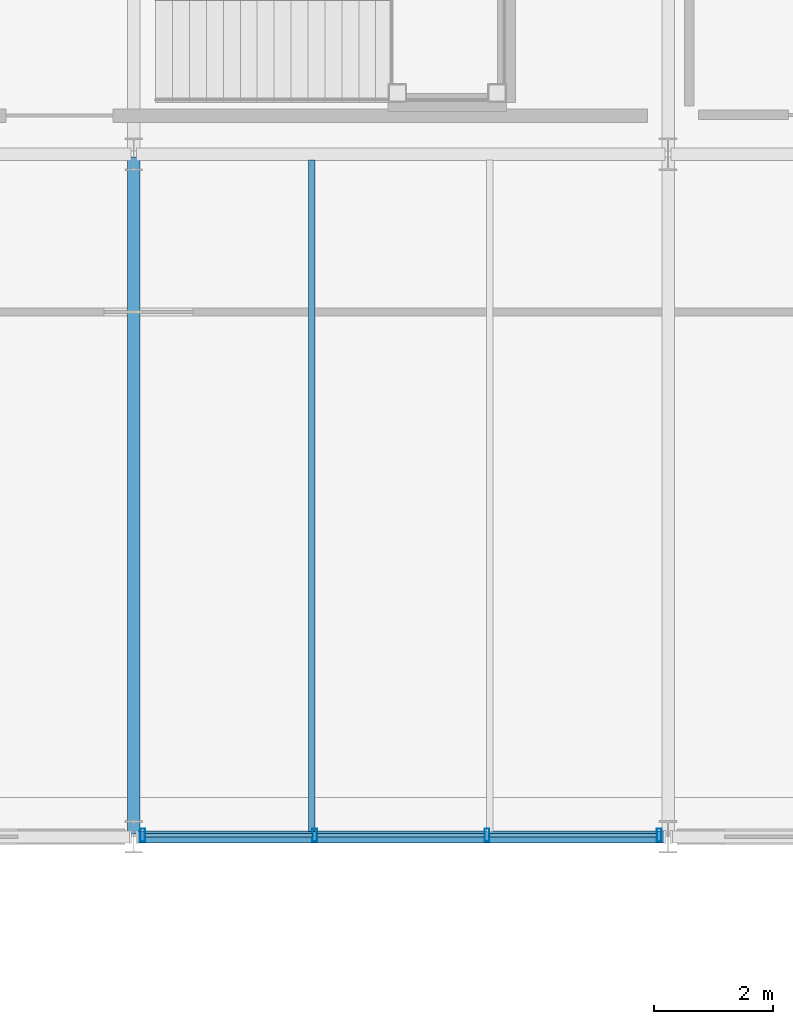
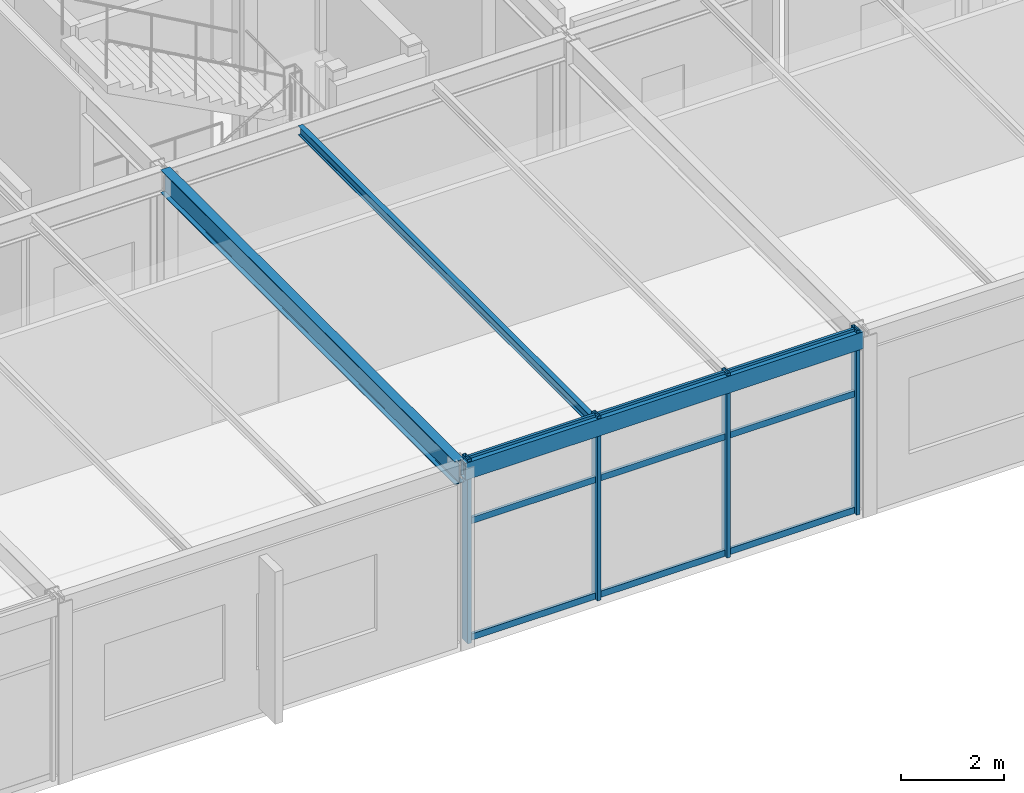
# One storey, part 8 of 44: 13 members, 3 beams, 1 element without a shape of its own.
"""IFC4 building model written with IfcOpenShell, lengths in metres."""

from ifc_helpers import new_model, si_unit, direction, frame, origin, origin_2d, place, context, subcontext, project, spatial, hollow_rectangle, i_section, extrude, material, layer, layer_set, material_profile, profile_set, type_object, element, aggregate, save


model = new_model("IFC4")

# Units and contexts
model_context = context("Model", 3, precision=1e-05, world=origin(), true_north=direction((0.0, 1.0)))
body_context = subcontext(model_context, "Body", "Model", "MODEL_VIEW")
ifc_project = project(units=[si_unit("LENGTHUNIT", "METRE"), si_unit("AREAUNIT", "SQUARE_METRE"), si_unit("VOLUMEUNIT", "CUBIC_METRE"), si_unit("PLANEANGLEUNIT", "RADIAN"), si_unit("MASSUNIT", "GRAM", prefix="KILO")], contexts=[model_context])

# Site, building, storey
site_placement = place(None, origin())
site = spatial("IfcSite", under=ifc_project, at=site_placement, CompositionType="ELEMENT")
building_placement = place(site_placement, origin())
building = spatial("IfcBuilding", under=site, at=building_placement, Name="Marlcrest Central Station", CompositionType="ELEMENT")
storey_placement = place(building_placement, frame((0.0, 0.0, 19.5)))
storey = spatial("IfcBuildingStorey", under=building, at=storey_placement, Name="L04", CompositionType="ELEMENT", Elevation=19.5)

# Beams
ifc_material_1 = material(Name="Steel S355", Category="steel")
ifc_material_profile_1 = material_profile(ifc_material_1, i_section(OverallWidth=0.2099609375, OverallDepth=0.550048828125, WebThickness=0.010986328125, FlangeThickness=0.01708984375, FilletRadius=0.02392578125, at=origin_2d()), Name="IPE 550")
ifc_profile_set_1 = profile_set([ifc_material_profile_1], Name="Steel S355")
beam_type_1 = type_object("IfcBeamType", Name="BM-06", PredefinedType="BEAM", material=ifc_profile_set_1)
beam_1_placement = place(storey_placement, frame((18.0, 99.050048828125, 4.0), z_axis=(0.0, 1.0, 0.0), x_axis=(-1.0, 0.0, 0.0)))
element("IfcBeam", 1, at=beam_1_placement, inside=storey, type_object=beam_type_1, Name="bm-BM-06-L04-00609", PredefinedType="BEAM", context=body_context, shape_type="SweptSolid", body=[
    extrude(i_section(OverallWidth=0.2099609375, OverallDepth=0.550048828125, WebThickness=0.010986328125, FlangeThickness=0.01708984375, FilletRadius=0.02392578125, at=origin_2d()), origin(), (0.0, 0.0, 1.0), 11.39990234375),
])
ifc_material_profile_2 = material_profile(ifc_material_1, i_section(OverallWidth=0.110107421875, OverallDepth=0.219970703125, WebThickness=0.005859375, FlangeThickness=0.00927734375, FilletRadius=0.011962890625, at=origin_2d()), Name="IPE 220")
ifc_profile_set_2 = profile_set([ifc_material_profile_2], Name="Steel S355")
beam_type_2 = type_object("IfcBeamType", Name="JS-02", PredefinedType="JOIST", material=ifc_profile_set_2)
beam_2_placement = place(storey_placement, frame((21.0, 99.094970703125, 4.1650390625), z_axis=(0.0, 1.0, 0.0), x_axis=(-1.0, 0.0, 0.0)))
element("IfcBeam", 2, at=beam_2_placement, inside=storey, type_object=beam_type_2, Name="bm-JS-02-L04-00639", PredefinedType="JOIST", context=body_context, shape_type="SweptSolid", body=[
    extrude(i_section(OverallWidth=0.110107421875, OverallDepth=0.219970703125, WebThickness=0.005859375, FlangeThickness=0.00927734375, FilletRadius=0.011962890625, at=origin_2d()), origin(), (0.0, 0.0, 1.0), 11.31005859375),
])

# Curtain wall, members
ifc_material_2 = material(Name="Anodised aluminium and hurricane laminated glass", Category="aluminium")
ifc_layer = layer(ifc_material_2, 0.219970703125, Name="CW-U1")
ifc_layer_set = layer_set([ifc_layer], Name="Anodised aluminium and hurricane laminated glass")
curtain_wall_type = type_object("IfcCurtainWallType", Name="CW-U1", PredefinedType="USERDEFINED", material=ifc_layer_set)
curtain_wall_placement = place(storey_placement, origin())
curtain_wall = element("IfcCurtainWall", 3, at=curtain_wall_placement, inside=storey, type_object=curtain_wall_type, Name="cw-L04-0168", ObjectType="UNITISED_CURTAIN_WALL", PredefinedType="USERDEFINED")
ifc_material_3 = material(Name="Anodised aluminium 6063-T6", Category="aluminium")
ifc_material_profile_3 = material_profile(ifc_material_3, hollow_rectangle(XDim=0.080078125, YDim=0.219970703125, WallThickness=0.006103515625, at=origin_2d()), Name="AA-RHS 220x80x6")
ifc_profile_set_3 = profile_set([ifc_material_profile_3], Name="Anodised aluminium 6063-T6")
member_type_1 = type_object("IfcMemberType", Name="ML-01", PredefinedType="MULLION", material=ifc_profile_set_3)
member_1_placement = place(storey_placement, frame((26.85009765625, 99.030029296875, -0.030029296875), z_axis=(0.0, 0.0, 1.0), x_axis=(1.0, 0.0, 0.0)))
member_1 = element("IfcMember", 4, at=member_1_placement, type_object=member_type_1, Name="cw-L04-0168-ml-0", PredefinedType="MULLION", context=body_context, shape_type="SweptSolid", body=[
    extrude(hollow_rectangle(XDim=0.080078125, YDim=0.219970703125, WallThickness=0.006103515625, at=origin_2d()), origin(), (0.0, 0.0, 1.0), 4.360107421875),
])
member_2_placement = place(storey_placement, frame((23.949951171875, 99.030029296875, -0.030029296875), z_axis=(0.0, 0.0, 1.0), x_axis=(1.0, 0.0, 0.0)))
member_2 = element("IfcMember", 5, at=member_2_placement, type_object=member_type_1, Name="cw-L04-0168-ml-1", PredefinedType="MULLION", context=body_context, shape_type="SweptSolid", body=[
    extrude(hollow_rectangle(XDim=0.080078125, YDim=0.219970703125, WallThickness=0.006103515625, at=origin_2d()), origin(), (0.0, 0.0, 1.0), 4.360107421875),
])
member_3_placement = place(storey_placement, frame((21.050048828125, 99.030029296875, -0.030029296875), z_axis=(0.0, 0.0, 1.0), x_axis=(1.0, 0.0, 0.0)))
member_3 = element("IfcMember", 6, at=member_3_placement, type_object=member_type_1, Name="cw-L04-0168-ml-2", PredefinedType="MULLION", context=body_context, shape_type="SweptSolid", body=[
    extrude(hollow_rectangle(XDim=0.080078125, YDim=0.219970703125, WallThickness=0.006103515625, at=origin_2d()), origin(), (0.0, 0.0, 1.0), 4.360107421875),
])
member_4_placement = place(storey_placement, frame((18.14990234375, 99.030029296875, -0.030029296875), z_axis=(0.0, 0.0, 1.0), x_axis=(1.0, 0.0, 0.0)))
member_4 = element("IfcMember", 7, at=member_4_placement, type_object=member_type_1, Name="cw-L04-0168-ml-3", PredefinedType="MULLION", context=body_context, shape_type="SweptSolid", body=[
    extrude(hollow_rectangle(XDim=0.080078125, YDim=0.219970703125, WallThickness=0.006103515625, at=origin_2d()), origin(), (0.0, 0.0, 1.0), 4.360107421875),
])

# Beam
ifc_material_profile_4 = material_profile(ifc_material_1, hollow_rectangle(XDim=0.199951171875, YDim=0.39990234375, WallThickness=0.01611328125, at=origin_2d()), Name="RHS 400x200x16")
ifc_profile_set_4 = profile_set([ifc_material_profile_4], Name="Steel S355")
beam_type_3 = type_object("IfcBeamType", Name="SP-01", PredefinedType="SPANDREL", material=ifc_profile_set_4)
beam_3_placement = place(storey_placement, frame((18.050048828125, 99.0, 4.074951171875), z_axis=(1.0, 0.0, 0.0), x_axis=(0.0, 1.0, 0.0)))
element("IfcBeam", 8, at=beam_3_placement, inside=storey, type_object=beam_type_3, Name="bm-SP-01-L04-00577", PredefinedType="SPANDREL", context=body_context, shape_type="SweptSolid", body=[
    extrude(hollow_rectangle(XDim=0.199951171875, YDim=0.39990234375, WallThickness=0.01611328125, at=origin_2d()), origin(), (0.0, 0.0, 1.0), 8.89990234375),
])

# Member
ifc_material_profile_5 = material_profile(ifc_material_3, hollow_rectangle(XDim=0.06005859375, YDim=0.14990234375, WallThickness=0.00390625, at=origin_2d()), Name="AA-RHS 150x60x4")
ifc_profile_set_5 = profile_set([ifc_material_profile_5], Name="Anodised aluminium 6063-T6")
member_type_2 = type_object("IfcMemberType", Name="TR-01", PredefinedType="USERDEFINED", material=ifc_profile_set_5)
member_5_placement = place(storey_placement, frame((26.81201171875, 99.030029296875, 0.0400390625), z_axis=(-1.0, 0.0, 0.0), x_axis=(0.0, -1.0, 0.0)))
member_5 = element("IfcMember", 9, at=member_5_placement, type_object=member_type_2, Name="cw-L04-0168-tr-0-sill", ObjectType="TRANSOM", PredefinedType="USERDEFINED", context=body_context, shape_type="SweptSolid", body=[
    extrude(hollow_rectangle(XDim=0.06005859375, YDim=0.14990234375, WallThickness=0.00390625, at=origin_2d()), origin(), (0.0, 0.0, 1.0), 2.823974609375),
])

member_6_placement = place(storey_placement, frame((26.81201171875, 99.030029296875, 2.794921875), z_axis=(-1.0, 0.0, 0.0), x_axis=(0.0, -1.0, 0.0)))
member_6 = element("IfcMember", 10, at=member_6_placement, type_object=member_type_2, Name="cw-L04-0168-tr-0-mid", ObjectType="TRANSOM", PredefinedType="USERDEFINED", context=body_context, shape_type="SweptSolid", body=[
    extrude(hollow_rectangle(XDim=0.06005859375, YDim=0.14990234375, WallThickness=0.00390625, at=origin_2d()), origin(), (0.0, 0.0, 1.0), 2.823974609375),
])

member_7_placement = place(storey_placement, frame((26.81201171875, 99.030029296875, 4.260009765625), z_axis=(-1.0, 0.0, 0.0), x_axis=(0.0, -1.0, 0.0)))
member_7 = element("IfcMember", 11, at=member_7_placement, type_object=member_type_2, Name="cw-L04-0168-tr-0-head", ObjectType="TRANSOM", PredefinedType="USERDEFINED", context=body_context, shape_type="SweptSolid", body=[
    extrude(hollow_rectangle(XDim=0.06005859375, YDim=0.14990234375, WallThickness=0.00390625, at=origin_2d()), origin(), (0.0, 0.0, 1.0), 2.823974609375),
])

member_8_placement = place(storey_placement, frame((23.912109375, 99.030029296875, 0.0400390625), z_axis=(-1.0, 0.0, 0.0), x_axis=(0.0, -1.0, 0.0)))
member_8 = element("IfcMember", 12, at=member_8_placement, type_object=member_type_2, Name="cw-L04-0168-tr-1-sill", ObjectType="TRANSOM", PredefinedType="USERDEFINED", context=body_context, shape_type="SweptSolid", body=[
    extrude(hollow_rectangle(XDim=0.06005859375, YDim=0.14990234375, WallThickness=0.00390625, at=origin_2d()), origin(), (0.0, 0.0, 1.0), 2.82421875),
])

member_9_placement = place(storey_placement, frame((23.912109375, 99.030029296875, 2.794921875), z_axis=(-1.0, 0.0, 0.0), x_axis=(0.0, -1.0, 0.0)))
member_9 = element("IfcMember", 13, at=member_9_placement, type_object=member_type_2, Name="cw-L04-0168-tr-1-mid", ObjectType="TRANSOM", PredefinedType="USERDEFINED", context=body_context, shape_type="SweptSolid", body=[
    extrude(hollow_rectangle(XDim=0.06005859375, YDim=0.14990234375, WallThickness=0.00390625, at=origin_2d()), origin(), (0.0, 0.0, 1.0), 2.82421875),
])

member_10_placement = place(storey_placement, frame((23.912109375, 99.030029296875, 4.260009765625), z_axis=(-1.0, 0.0, 0.0), x_axis=(0.0, -1.0, 0.0)))
member_10 = element("IfcMember", 14, at=member_10_placement, type_object=member_type_2, Name="cw-L04-0168-tr-1-head", ObjectType="TRANSOM", PredefinedType="USERDEFINED", context=body_context, shape_type="SweptSolid", body=[
    extrude(hollow_rectangle(XDim=0.06005859375, YDim=0.14990234375, WallThickness=0.00390625, at=origin_2d()), origin(), (0.0, 0.0, 1.0), 2.82421875),
])

member_11_placement = place(storey_placement, frame((21.011962890625, 99.030029296875, 0.0400390625), z_axis=(-1.0, 0.0, 0.0), x_axis=(0.0, -1.0, 0.0)))
member_11 = element("IfcMember", 15, at=member_11_placement, type_object=member_type_2, Name="cw-L04-0168-tr-2-sill", ObjectType="TRANSOM", PredefinedType="USERDEFINED", context=body_context, shape_type="SweptSolid", body=[
    extrude(hollow_rectangle(XDim=0.06005859375, YDim=0.14990234375, WallThickness=0.00390625, at=origin_2d()), origin(), (0.0, 0.0, 1.0), 2.823974609375),
])

member_12_placement = place(storey_placement, frame((21.011962890625, 99.030029296875, 2.794921875), z_axis=(-1.0, 0.0, 0.0), x_axis=(0.0, -1.0, 0.0)))
member_12 = element("IfcMember", 16, at=member_12_placement, type_object=member_type_2, Name="cw-L04-0168-tr-2-mid", ObjectType="TRANSOM", PredefinedType="USERDEFINED", context=body_context, shape_type="SweptSolid", body=[
    extrude(hollow_rectangle(XDim=0.06005859375, YDim=0.14990234375, WallThickness=0.00390625, at=origin_2d()), origin(), (0.0, 0.0, 1.0), 2.823974609375),
])

member_13_placement = place(storey_placement, frame((21.011962890625, 99.030029296875, 4.260009765625), z_axis=(-1.0, 0.0, 0.0), x_axis=(0.0, -1.0, 0.0)))
member_13 = element("IfcMember", 17, at=member_13_placement, type_object=member_type_2, Name="cw-L04-0168-tr-2-head", ObjectType="TRANSOM", PredefinedType="USERDEFINED", context=body_context, shape_type="SweptSolid", body=[
    extrude(hollow_rectangle(XDim=0.06005859375, YDim=0.14990234375, WallThickness=0.00390625, at=origin_2d()), origin(), (0.0, 0.0, 1.0), 2.823974609375),
])

aggregate(curtain_wall, [member_1, member_2, member_3, member_4, member_5, member_6, member_7, member_8, member_9, member_10, member_11, member_12, member_13])

save(model, "model.ifc")
